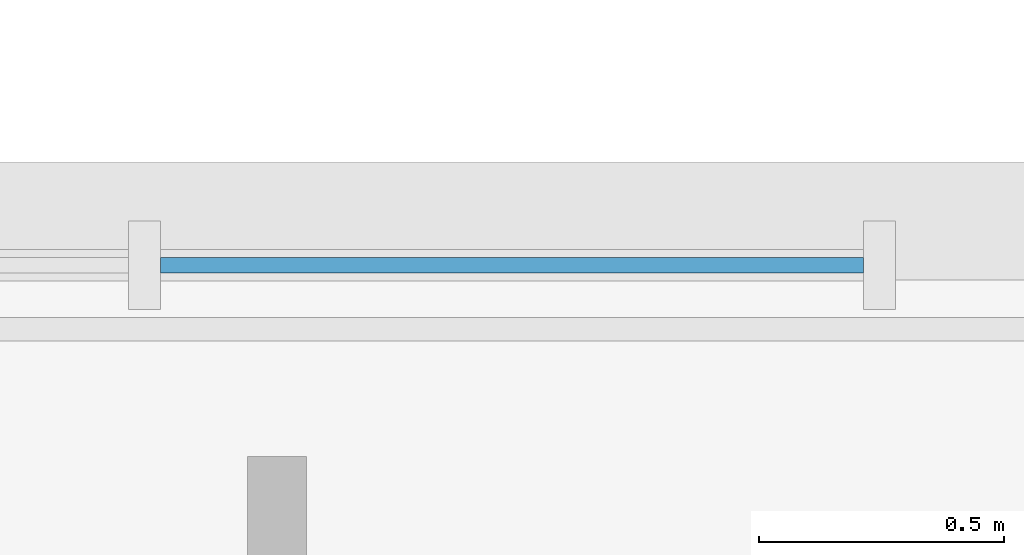
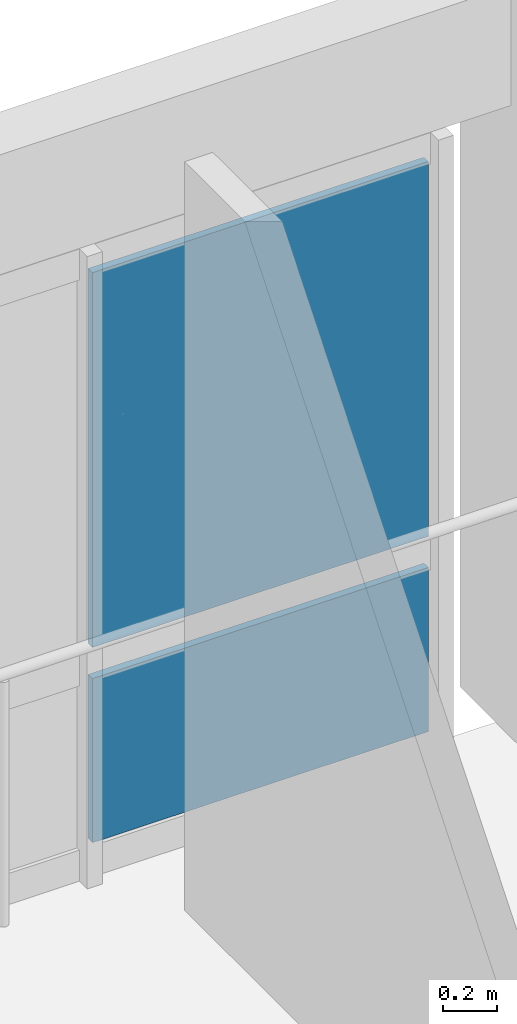
# One storey, part 32 of 74: 2 plates, 1 element without a shape of its own.
"""IFC4 building model written with IfcOpenShell, lengths in metres."""

from ifc_helpers import new_model, si_unit, direction, frame, origin, origin_2d, place, context, subcontext, project, spatial, rectangle, extrude, material, layer, layer_set, type_object, element, aggregate, save


model = new_model("IFC4")

# Units and contexts
model_context = context("Model", 3, precision=1e-05, world=origin(), true_north=direction((0.0, 1.0)))
body_context = subcontext(model_context, "Body", "Model", "MODEL_VIEW")
ifc_project = project(units=[si_unit("LENGTHUNIT", "METRE"), si_unit("AREAUNIT", "SQUARE_METRE"), si_unit("VOLUMEUNIT", "CUBIC_METRE"), si_unit("PLANEANGLEUNIT", "RADIAN"), si_unit("MASSUNIT", "GRAM", prefix="KILO")], contexts=[model_context])

# Site, building, storey
site_placement = place(None, origin())
site = spatial("IfcSite", under=ifc_project, at=site_placement, CompositionType="ELEMENT")
building_placement = place(site_placement, origin())
building = spatial("IfcBuilding", under=site, at=building_placement, Name="Alvorim Cloister Faculty of Sciences", CompositionType="ELEMENT")
storey_placement = place(building_placement, frame((0.0, 0.0, 15.75)))
storey = spatial("IfcBuildingStorey", under=building, at=storey_placement, Name="L04", CompositionType="ELEMENT", Elevation=15.75)

# Curtain wall, plates
ifc_material_1 = material(Name="Aluminium and Low-E Glass Curtain Wall", Category="aluminium")
curtain_wall_type = type_object("IfcCurtainWallType", Name="CW-GLZ-6120x2850", PredefinedType="USERDEFINED", material=ifc_material_1)
curtain_wall_placement = place(storey_placement, origin())
curtain_wall = element("IfcCurtainWall", 1, at=curtain_wall_placement, inside=storey, type_object=curtain_wall_type, Name="L04 Entrance and Atrium Glazed Curtain Wall CW-0212", ObjectType="UNITISED CURTAIN WALL", PredefinedType="USERDEFINED")
ifc_material_2 = material(Name="Double Low-E Laminated Glass", Category="glass")
ifc_layer = layer(ifc_material_2, 0.031982421875)
ifc_layer_set = layer_set([ifc_layer], Name="Double Low-E Laminated Glass")
plate_type = type_object("IfcPlateType", Name="PN-GLZ-32", PredefinedType="CURTAIN_PANEL", material=ifc_layer_set)
plate_1_placement = place(storey_placement, frame((99.478759765625, 28.7099609375, 0.14013671875), z_axis=(0.0, 0.0, 1.0), x_axis=(1.0, 0.0, 0.0)))
plate_1 = element("IfcPlate", 2, at=plate_1_placement, type_object=plate_type, Name="CW-10 panel 4.1", PredefinedType="CURTAIN_PANEL", context=body_context, shape_type="SweptSolid", body=[
    extrude(rectangle(XDim=1.4326171875, YDim=0.031982421875, at=origin_2d()), origin(), (0.0, 0.0, 1.0), 0.739990234375),
])
plate_2_placement = place(storey_placement, frame((99.478759765625, 28.7099609375, 1.02001953125), z_axis=(0.0, 0.0, 1.0), x_axis=(1.0, 0.0, 0.0)))
plate_2 = element("IfcPlate", 3, at=plate_2_placement, type_object=plate_type, Name="CW-10 panel 4.2", PredefinedType="CURTAIN_PANEL", context=body_context, shape_type="SweptSolid", body=[
    extrude(rectangle(XDim=1.4326171875, YDim=0.031982421875, at=origin_2d()), origin(), (0.0, 0.0, 1.0), 1.68994140625),
])
aggregate(curtain_wall, [plate_1, plate_2])

save(model, "model.ifc")
